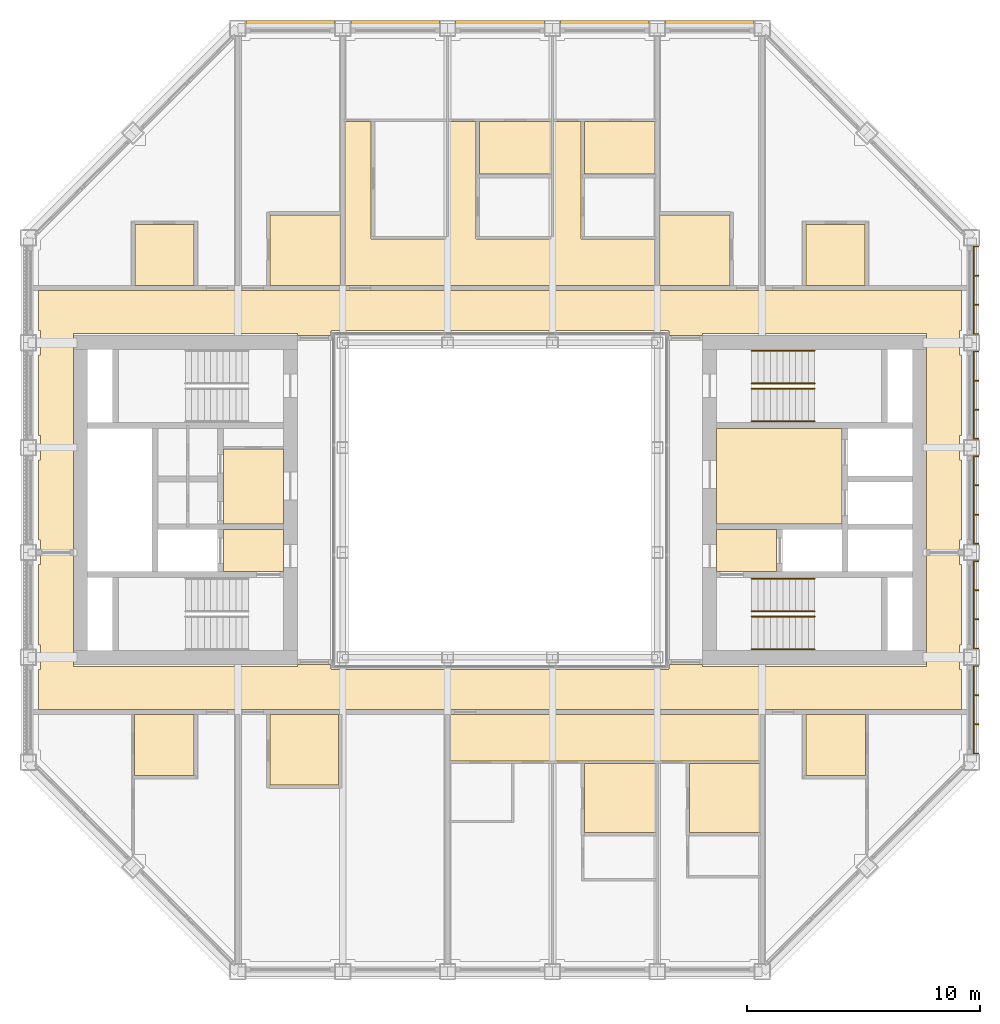
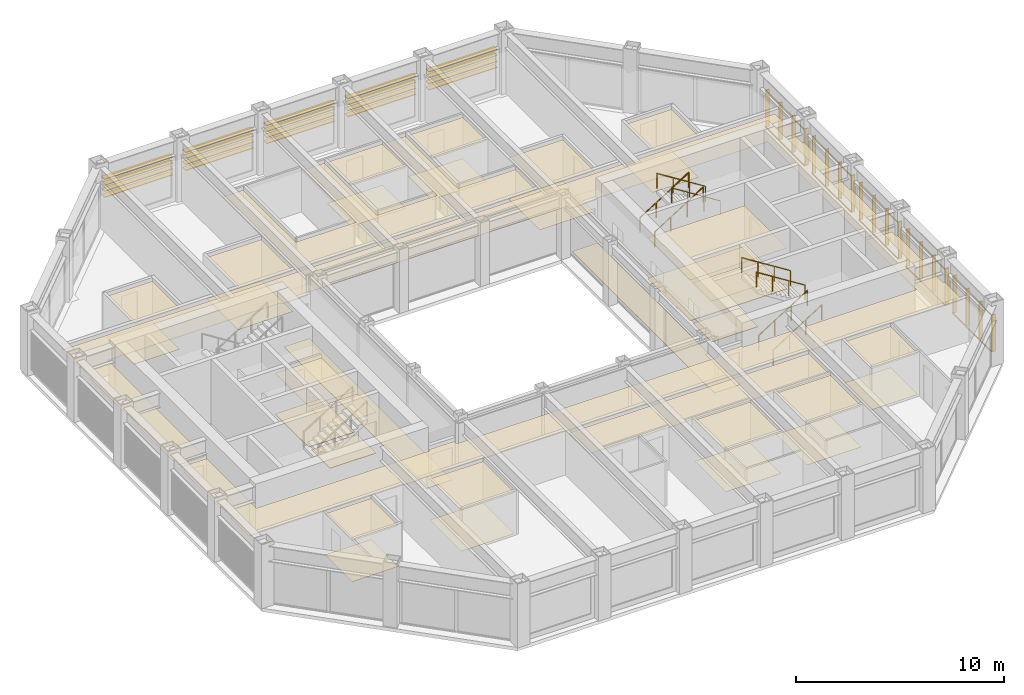
# One storey, part 17 of 17: 8 railings, 4 coverings, 2 shading devices.
"""IFC4 building model written with IfcOpenShell, lengths in metres."""

import ifcopenshell
import ifcopenshell.guid

model = None  # the IFC model being written
_history = None  # IfcOwnerHistory: only IFC2X3 demands one
_inside = {}  # id of a spatial element -> (the spatial element, [elements in it])
_under = {}  # id of a project, library or spatial element -> (it, [spatial elements below it])
_declared = {}  # id of a project -> (the project, [libraries it declares])
_typed = {}  # id of a type object -> (the type object, [elements of that type])
_made_of = {}  # id of a material, layer set ... -> (it, [elements and type objects made of it])


def new_model(schema):
    """Start an empty IFC model of exactly this schema.

    Asked for "IFC4X3", IfcOpenShell would pick the latest addendum, in which some entities
    have other attributes; the version numbers below select the first issue.
    IFC2X3 requires an IfcOwnerHistory on every rooted entity: one is made here for all.
    """
    global model, _history
    if schema == "IFC4X3":
        model = ifcopenshell.file(schema_version=(4, 3, 0, 0))
    else:
        model = ifcopenshell.file(schema=schema)
    _inside.clear()
    _under.clear()
    _declared.clear()
    _typed.clear()
    _made_of.clear()
    _history = None
    if model.schema == "IFC2X3":
        org = make("IfcOrganization", Name="unknown")
        user = make(
            "IfcPersonAndOrganization",
            ThePerson=make("IfcPerson", FamilyName="unknown"),
            TheOrganization=org,
        )
        app = make(
            "IfcApplication",
            ApplicationDeveloper=org,
            Version="unknown",
            ApplicationFullName="unknown",
            ApplicationIdentifier="unknown",
        )
        _history = make(
            "IfcOwnerHistory",
            OwningUser=user,
            OwningApplication=app,
            ChangeAction="ADDED",
            CreationDate=0,
        )
    return model


def make(cls, **values):
    """One entity of the class cls with the attributes given. An attribute that is None is left unset."""
    return model.create_entity(
        cls, **{name: value for name, value in values.items() if value is not None}
    )


def rooted(cls, **values):
    """An entity with a GlobalId (a new one), such as an element, a storey or a relation."""
    return make(cls, GlobalId=ifcopenshell.guid.new(), OwnerHistory=_history, **values)


def si_unit(unit_type, name, prefix=None):
    """IfcSIUnit, for example si_unit("LENGTHUNIT", "METRE", prefix="MILLI")."""
    return make("IfcSIUnit", UnitType=unit_type, Prefix=prefix, Name=name)


def assignment(units):
    """IfcUnitAssignment: the units of a project."""
    return None if units is None else make("IfcUnitAssignment", Units=units)


def point(xyz):
    """IfcCartesianPoint."""
    return None if xyz is None else make("IfcCartesianPoint", Coordinates=xyz)


def direction(xyz):
    """IfcDirection."""
    return None if xyz is None else make("IfcDirection", DirectionRatios=xyz)


def frame(location, z_axis=None, x_axis=None):
    """IfcAxis2Placement3D, a coordinate frame: its origin and axes. An axis left out is left unset."""
    return make(
        "IfcAxis2Placement3D",
        Location=point(location),
        Axis=direction(z_axis),
        RefDirection=direction(x_axis),
    )


def frame_2d(location, x_axis=None):
    """IfcAxis2Placement2D, a coordinate frame in the plane: its origin and x axis."""
    return make(
        "IfcAxis2Placement2D", Location=point(location), RefDirection=direction(x_axis)
    )


def origin():
    """The frame at (0, 0, 0) with its axes left unset."""
    return frame((0.0, 0.0, 0.0))


def origin_2d():
    """The frame at (0, 0) in the plane with its x axis left unset."""
    return frame_2d((0.0, 0.0))


def place(relative_to, where):
    """IfcLocalPlacement: puts the frame where relative to a parent placement (None: the world)."""
    return make(
        "IfcLocalPlacement", PlacementRelTo=relative_to, RelativePlacement=where
    )


def context(
    kind, dimensions, precision=None, world=None, true_north=None, identifier=None
):
    """IfcGeometricRepresentationContext, for example the 3D "Model" context."""
    return make(
        "IfcGeometricRepresentationContext",
        ContextIdentifier=identifier,
        ContextType=kind,
        CoordinateSpaceDimension=dimensions,
        Precision=precision,
        WorldCoordinateSystem=world,
        TrueNorth=true_north,
    )


def subcontext(parent, identifier, kind, view, scale=None):
    """IfcGeometricRepresentationSubContext, for example "Body" below "Model"."""
    return make(
        "IfcGeometricRepresentationSubContext",
        ContextIdentifier=identifier,
        ContextType=kind,
        ParentContext=parent,
        TargetScale=scale,
        TargetView=view,
    )


def project(units=None, contexts=None):
    """IfcProject with its units and contexts."""
    return rooted(
        "IfcProject",
        Name="project",
        RepresentationContexts=contexts,
        UnitsInContext=assignment(units),
    )


def spatial(cls, under=None, at=None, **own):
    """A site, building, storey or space (cls), placed at a placement, below another one or the project."""
    s = rooted(cls, ObjectPlacement=at, **own)
    if under is not None:
        _under.setdefault(under.id(), (under, []))[1].append(s)
    return s


def point_list(points):
    """IfcCartesianPointList2D or 3D."""
    cls = (
        "IfcCartesianPointList2D" if len(points[0]) == 2 else "IfcCartesianPointList3D"
    )
    return make(cls, CoordList=points)


def line(*indices):
    """IfcLineIndex: a straight run through numbered points of an indexed curve."""
    return model.create_entity("IfcLineIndex", indices)


def indexed_curve(points, segments=None, self_intersect=None):
    """IfcIndexedPolyCurve: lines and arcs through numbered points (the first is 1)."""
    return make(
        "IfcIndexedPolyCurve",
        Points=point_list(points),
        Segments=segments,
        SelfIntersect=self_intersect,
    )


def profile(cls, at=None, kind="AREA", **sizes):
    """A parametric profile (cls). Its sizes go by their IFC names, for example OverallWidth=200.0."""
    return make(cls, ProfileType=kind, Position=at, **sizes)


def rectangle(**sizes):
    """IfcRectangleProfileDef."""
    return profile("IfcRectangleProfileDef", **sizes)


def circle(**sizes):
    """IfcCircleProfileDef."""
    return profile("IfcCircleProfileDef", **sizes)


def outline(outer, holes=None, kind="AREA"):
    """IfcArbitraryClosedProfileDef: a profile drawn as a closed curve; with holes, ...WithVoids."""
    if holes is None:
        return make("IfcArbitraryClosedProfileDef", ProfileType=kind, OuterCurve=outer)
    return make(
        "IfcArbitraryProfileDefWithVoids",
        ProfileType=kind,
        OuterCurve=outer,
        InnerCurves=holes,
    )


def extrude(swept, where, along, depth):
    """IfcExtrudedAreaSolid: the profile swept, set in the frame where, extruded along a direction by depth."""
    return make(
        "IfcExtrudedAreaSolid",
        SweptArea=swept,
        Position=where,
        ExtrudedDirection=direction(along),
        Depth=depth,
    )


def shape(context_of_items, identifier, shape_type, items):
    """IfcShapeRepresentation: the items that make up one representation, for example the "Body"."""
    return make(
        "IfcShapeRepresentation",
        ContextOfItems=context_of_items,
        RepresentationIdentifier=identifier,
        RepresentationType=shape_type,
        Items=items,
    )


def material(Name=None, Category=None):
    """IfcMaterial."""
    return make("IfcMaterial", Name=Name, Category=Category)


def layer(
    of_material, thickness, ventilated=None, Name=None, Category=None, Priority=None
):
    """IfcMaterialLayer: one layer of a wall or slab, of a material (None: an air gap)."""
    return make(
        "IfcMaterialLayer",
        Material=of_material,
        LayerThickness=thickness,
        IsVentilated=ventilated,
        Name=Name,
        Category=Category,
        Priority=Priority,
    )


def layer_set(layers, Name=None):
    """IfcMaterialLayerSet."""
    return make("IfcMaterialLayerSet", MaterialLayers=layers, LayerSetName=Name)


def made_of(thing, what):
    """Note that an element or type object is made of a material, layer set ...; save() writes the relation."""
    if what is not None:
        _made_of.setdefault(what.id(), (what, []))[1].append(thing)
    return thing


def type_object(cls, material=None, **own):
    """A type object (cls), such as IfcWallType, which elements share."""
    return made_of(rooted(cls, **own), material)


def element(
    cls,
    number,
    at=None,
    inside=None,
    cuts=None,
    type_object=None,
    material=None,
    context=None,
    identifier="Body",
    shape_type=None,
    held_by="IfcProductDefinitionShape",
    body=None,
    shapes=None,
    **own,
):
    """One element of the class cls, such as IfcWall. Its Tag is "e" and its number.

    at: its placement. inside: the storey or other place that contains it. cuts: it is an
    opening in that element (IfcRelVoidsElement). A single representation is given by context,
    identifier, shape_type and body (its items); several are given by shapes. held_by: the class
    of the entity that holds the representations. save() writes the other relations.
    """
    e = rooted(cls, Tag="e%d" % number, ObjectPlacement=at, **own)
    if body is not None:
        shapes = [shape(context, identifier, shape_type, body)]
    if shapes is not None:
        e.Representation = make(held_by, Representations=shapes)
    if inside is not None:
        _inside.setdefault(inside.id(), (inside, []))[1].append(e)
    if cuts is not None:
        rooted(
            "IfcRelVoidsElement", RelatingBuildingElement=cuts, RelatedOpeningElement=e
        )
    if type_object is not None:
        _typed.setdefault(type_object.id(), (type_object, []))[1].append(e)
    return made_of(e, material)


def aggregate(whole, parts):
    """IfcRelAggregates: a whole, such as a stair, and the parts it consists of."""
    return rooted("IfcRelAggregates", RelatingObject=whole, RelatedObjects=parts)


def save(model, path):
    """Write the relations noted so far, then the file.

    IfcRelAggregates (storeys below a building ...), IfcRelContainedInSpatialStructure (elements
    in a storey), IfcRelDefinesByType, IfcRelAssociatesMaterial and IfcRelDeclares: one each for
    every whole, place, type object, material and project.
    """
    for whole, parts in _under.values():
        aggregate(whole, parts)
    for where, things in _inside.values():
        rooted(
            "IfcRelContainedInSpatialStructure",
            RelatedElements=things,
            RelatingStructure=where,
        )
    for kind, things in _typed.values():
        rooted("IfcRelDefinesByType", RelatedObjects=things, RelatingType=kind)
    for what, things in _made_of.values():
        rooted("IfcRelAssociatesMaterial", RelatedObjects=things, RelatingMaterial=what)
    for by, libraries in _declared.values():
        rooted("IfcRelDeclares", RelatingContext=by, RelatedDefinitions=libraries)
    model.write(path)


model = new_model("IFC4")

# Units and contexts
model_context = context("Model", 3, precision=1e-05, world=origin(), true_north=direction((0.0, 1.0)))
body_context = subcontext(model_context, "Body", "Model", "MODEL_VIEW")
ifc_project = project(units=[si_unit("LENGTHUNIT", "METRE"), si_unit("AREAUNIT", "SQUARE_METRE"), si_unit("VOLUMEUNIT", "CUBIC_METRE"), si_unit("PLANEANGLEUNIT", "RADIAN"), si_unit("MASSUNIT", "GRAM", prefix="KILO")], contexts=[model_context])

# Site, building, storey
site_placement = place(None, origin())
site = spatial("IfcSite", under=ifc_project, at=site_placement, CompositionType="ELEMENT")
building_placement = place(site_placement, origin())
building = spatial("IfcBuilding", under=site, at=building_placement, Name="Msasa Ring Tower", CompositionType="ELEMENT")
storey_placement = place(building_placement, frame((0.0, 0.0, 234.550048828125)))
storey = spatial("IfcBuildingStorey", under=building, at=storey_placement, Name="L61", CompositionType="ELEMENT", Elevation=234.550048828125)

# Shading device
ifc_material_1 = material(Name="Extruded terracotta on aluminium carriers", Category="masonry")
shading_device_type_1 = type_object("IfcShadingDeviceType", Name="BS2 TERRACOTTA FIN SCREEN 40x200 AT 1350", PredefinedType="USERDEFINED", material=ifc_material_1)
shading_device_1_placement = place(storey_placement, origin())
element("IfcShadingDevice", 1, at=shading_device_1_placement, inside=storey, type_object=shading_device_type_1, Name="Terracotta fin screen E L61", ObjectType="BAGUETTE", PredefinedType="USERDEFINED", context=body_context, shape_type="SweptSolid", body=[
    extrude(rectangle(XDim=0.06005859375, YDim=0.0400390625, at=origin_2d()), frame((20.330078125, -10.89990234375, 0.329833984375), z_axis=(0.0, 1.0, 0.0), x_axis=(0.0, 0.0, 1.0)), (0.0, 0.0, 1.0), 3.800048828125),
    extrude(rectangle(XDim=0.06005859375, YDim=0.0400390625, at=origin_2d()), frame((20.330078125, -10.89990234375, 2.448974609375), z_axis=(0.0, 1.0, 0.0), x_axis=(0.0, 0.0, 1.0)), (0.0, 0.0, 1.0), 3.800048828125),
    extrude(rectangle(XDim=0.0400390625, YDim=0.199951171875, at=origin_2d()), frame((20.445068359375, -10.8798828125, 0.300048828125), z_axis=(0.0, 0.0, 1.0), x_axis=(0.0, 1.0, 0.0)), (0.0, 0.0, 1.0), 2.178955078125),
    extrude(rectangle(XDim=0.0400390625, YDim=0.199951171875, at=origin_2d()), frame((20.445068359375, -9.626708984375, 0.300048828125), z_axis=(0.0, 0.0, 1.0), x_axis=(0.0, 1.0, 0.0)), (0.0, 0.0, 1.0), 2.178955078125),
    extrude(rectangle(XDim=0.0400390625, YDim=0.199951171875, at=origin_2d()), frame((20.445068359375, -8.373291015625, 0.300048828125), z_axis=(0.0, 0.0, 1.0), x_axis=(0.0, 1.0, 0.0)), (0.0, 0.0, 1.0), 2.178955078125),
    extrude(rectangle(XDim=0.0400390625, YDim=0.199951171875, at=origin_2d()), frame((20.445068359375, -7.1201171875, 0.300048828125), z_axis=(0.0, 0.0, 1.0), x_axis=(0.0, 1.0, 0.0)), (0.0, 0.0, 1.0), 2.178955078125),
    extrude(rectangle(XDim=0.06005859375, YDim=0.0400390625, at=origin_2d()), frame((20.330078125, -6.39990234375, 0.329833984375), z_axis=(0.0, 1.0, 0.0), x_axis=(0.0, 0.0, 1.0)), (0.0, 0.0, 1.0), 3.800048828125),
    extrude(rectangle(XDim=0.06005859375, YDim=0.0400390625, at=origin_2d()), frame((20.330078125, -6.39990234375, 2.448974609375), z_axis=(0.0, 1.0, 0.0), x_axis=(0.0, 0.0, 1.0)), (0.0, 0.0, 1.0), 3.800048828125),
    extrude(rectangle(XDim=0.0400390625, YDim=0.199951171875, at=origin_2d()), frame((20.445068359375, -6.3798828125, 0.300048828125), z_axis=(0.0, 0.0, 1.0), x_axis=(0.0, 1.0, 0.0)), (0.0, 0.0, 1.0), 2.178955078125),
    extrude(rectangle(XDim=0.0400390625, YDim=0.199951171875, at=origin_2d()), frame((20.445068359375, -5.126708984375, 0.300048828125), z_axis=(0.0, 0.0, 1.0), x_axis=(0.0, 1.0, 0.0)), (0.0, 0.0, 1.0), 2.178955078125),
    extrude(rectangle(XDim=0.0400390625, YDim=0.199951171875, at=origin_2d()), frame((20.445068359375, -3.873291015625, 0.300048828125), z_axis=(0.0, 0.0, 1.0), x_axis=(0.0, 1.0, 0.0)), (0.0, 0.0, 1.0), 2.178955078125),
    extrude(rectangle(XDim=0.0400390625, YDim=0.199951171875, at=origin_2d()), frame((20.445068359375, -2.6201171875, 0.300048828125), z_axis=(0.0, 0.0, 1.0), x_axis=(0.0, 1.0, 0.0)), (0.0, 0.0, 1.0), 2.178955078125),
    extrude(rectangle(XDim=0.06005859375, YDim=0.0400390625, at=origin_2d()), frame((20.330078125, -1.89990234375, 0.329833984375), z_axis=(0.0, 1.0, 0.0), x_axis=(0.0, 0.0, 1.0)), (0.0, 0.0, 1.0), 3.800048828125),
    extrude(rectangle(XDim=0.06005859375, YDim=0.0400390625, at=origin_2d()), frame((20.330078125, -1.89990234375, 2.448974609375), z_axis=(0.0, 1.0, 0.0), x_axis=(0.0, 0.0, 1.0)), (0.0, 0.0, 1.0), 3.800048828125),
    extrude(rectangle(XDim=0.0400390625, YDim=0.199951171875, at=origin_2d()), frame((20.445068359375, -1.8798828125, 0.300048828125), z_axis=(0.0, 0.0, 1.0), x_axis=(0.0, 1.0, 0.0)), (0.0, 0.0, 1.0), 2.178955078125),
    extrude(rectangle(XDim=0.0400390625, YDim=0.199951171875, at=origin_2d()), frame((20.445068359375, -0.626708984375, 0.300048828125), z_axis=(0.0, 0.0, 1.0), x_axis=(0.0, 1.0, 0.0)), (0.0, 0.0, 1.0), 2.178955078125),
    extrude(rectangle(XDim=0.0400390625, YDim=0.199951171875, at=origin_2d()), frame((20.445068359375, 0.626708984375, 0.300048828125), z_axis=(0.0, 0.0, 1.0), x_axis=(0.0, 1.0, 0.0)), (0.0, 0.0, 1.0), 2.178955078125),
    extrude(rectangle(XDim=0.0400390625, YDim=0.199951171875, at=origin_2d()), frame((20.445068359375, 1.8798828125, 0.300048828125), z_axis=(0.0, 0.0, 1.0), x_axis=(0.0, 1.0, 0.0)), (0.0, 0.0, 1.0), 2.178955078125),
    extrude(rectangle(XDim=0.06005859375, YDim=0.0400390625, at=origin_2d()), frame((20.330078125, 2.60009765625, 0.329833984375), z_axis=(0.0, 1.0, 0.0), x_axis=(0.0, 0.0, 1.0)), (0.0, 0.0, 1.0), 3.800048828125),
    extrude(rectangle(XDim=0.06005859375, YDim=0.0400390625, at=origin_2d()), frame((20.330078125, 2.60009765625, 2.448974609375), z_axis=(0.0, 1.0, 0.0), x_axis=(0.0, 0.0, 1.0)), (0.0, 0.0, 1.0), 3.800048828125),
    extrude(rectangle(XDim=0.0400390625, YDim=0.199951171875, at=origin_2d()), frame((20.445068359375, 2.6201171875, 0.300048828125), z_axis=(0.0, 0.0, 1.0), x_axis=(0.0, 1.0, 0.0)), (0.0, 0.0, 1.0), 2.178955078125),
    extrude(rectangle(XDim=0.0400390625, YDim=0.199951171875, at=origin_2d()), frame((20.445068359375, 3.873291015625, 0.300048828125), z_axis=(0.0, 0.0, 1.0), x_axis=(0.0, 1.0, 0.0)), (0.0, 0.0, 1.0), 2.178955078125),
    extrude(rectangle(XDim=0.0400390625, YDim=0.199951171875, at=origin_2d()), frame((20.445068359375, 5.126708984375, 0.300048828125), z_axis=(0.0, 0.0, 1.0), x_axis=(0.0, 1.0, 0.0)), (0.0, 0.0, 1.0), 2.178955078125),
    extrude(rectangle(XDim=0.0400390625, YDim=0.199951171875, at=origin_2d()), frame((20.445068359375, 6.3798828125, 0.300048828125), z_axis=(0.0, 0.0, 1.0), x_axis=(0.0, 1.0, 0.0)), (0.0, 0.0, 1.0), 2.178955078125),
    extrude(rectangle(XDim=0.06005859375, YDim=0.0400390625, at=origin_2d()), frame((20.330078125, 7.10009765625, 0.329833984375), z_axis=(0.0, 1.0, 0.0), x_axis=(0.0, 0.0, 1.0)), (0.0, 0.0, 1.0), 3.800048828125),
    extrude(rectangle(XDim=0.06005859375, YDim=0.0400390625, at=origin_2d()), frame((20.330078125, 7.10009765625, 2.448974609375), z_axis=(0.0, 1.0, 0.0), x_axis=(0.0, 0.0, 1.0)), (0.0, 0.0, 1.0), 3.800048828125),
    extrude(rectangle(XDim=0.0400390625, YDim=0.199951171875, at=origin_2d()), frame((20.445068359375, 7.1201171875, 0.300048828125), z_axis=(0.0, 0.0, 1.0), x_axis=(0.0, 1.0, 0.0)), (0.0, 0.0, 1.0), 2.178955078125),
    extrude(rectangle(XDim=0.0400390625, YDim=0.199951171875, at=origin_2d()), frame((20.445068359375, 8.373291015625, 0.300048828125), z_axis=(0.0, 0.0, 1.0), x_axis=(0.0, 1.0, 0.0)), (0.0, 0.0, 1.0), 2.178955078125),
    extrude(rectangle(XDim=0.0400390625, YDim=0.199951171875, at=origin_2d()), frame((20.445068359375, 9.626708984375, 0.300048828125), z_axis=(0.0, 0.0, 1.0), x_axis=(0.0, 1.0, 0.0)), (0.0, 0.0, 1.0), 2.178955078125),
    extrude(rectangle(XDim=0.0400390625, YDim=0.199951171875, at=origin_2d()), frame((20.445068359375, 10.8798828125, 0.300048828125), z_axis=(0.0, 0.0, 1.0), x_axis=(0.0, 1.0, 0.0)), (0.0, 0.0, 1.0), 2.178955078125),
])

# Coverings
ifc_material_2 = material(Name="Gypsum plasterboard on a steel suspension grid", Category="steel")
ifc_layer_1 = layer(ifc_material_2, 0.014892578125)
ifc_layer_set_1 = layer_set([ifc_layer_1], Name="C1 SUSPENDED PLASTERBOARD CEILING 15")
covering_type_1 = type_object("IfcCoveringType", Name="C1 SUSPENDED PLASTERBOARD CEILING 15", PredefinedType="CEILING", material=ifc_layer_set_1)
covering_1_placement = place(storey_placement, frame((0.0, 0.0, 2.39990234375)))
element("IfcCovering", 2, at=covering_1_placement, inside=storey, type_object=covering_type_1, Name="Suspended Plasterboard Ceiling 15 circulation L61", PredefinedType="CEILING", context=body_context, shape_type="SweptSolid", body=[
    extrude(outline(indexed_curve([(8.699462890625, -7.150390625), (18.300537109375, -7.150390625), (18.300537109375, -2.3505859375), (19.724609375, -2.3505859375), (19.724609375, -2.775390625), (19.799560546875, -2.775390625), (19.799560546875, -6.224609375), (19.724609375, -6.224609375), (19.724609375, -7.275390625), (19.799560546875, -7.275390625), (19.799560546875, -8.99951171875), (-19.799560546875, -8.99951171875), (-19.799560546875, -7.275390625), (-19.724609375, -7.275390625), (-19.724609375, -6.224609375), (-19.799560546875, -6.224609375), (-19.799560546875, -2.775390625), (-19.724609375, -2.775390625), (-19.724609375, -2.3505859375), (-18.300537109375, -2.3505859375), (-18.300537109375, -7.150390625), (-8.699462890625, -7.150390625), (-8.699462890625, -7.050537109375), (-7.280029296875, -7.050537109375), (-7.280517578125, -7.23046875), (-7.22998046875, -7.23046875), (-7.22998046875, -7.280029296875), (7.22998046875, -7.280029296875), (7.22998046875, -7.23046875), (7.280517578125, -7.23046875), (7.280029296875, -7.050537109375), (8.699462890625, -7.050537109375)], segments=[line(1, 2, 3, 4, 5, 6, 7, 8, 9, 10, 11, 12, 13, 14, 15, 16, 17, 18, 19, 20, 21, 22, 23, 24, 25, 26, 27, 28, 29, 30, 31, 32, 1)], self_intersect=False)), origin(), (0.0, 0.0, 1.0), 0.01513671875),
    extrude(outline(indexed_curve([(19.799560546875, 7.275390625), (19.724609375, 7.275390625), (19.724609375, 6.224609375), (19.799560546875, 6.224609375), (19.799560546875, 2.775390625), (19.724609375, 2.775390625), (19.724609375, 1.724609375), (19.799560546875, 1.724609375), (19.799560546875, -1.724609375), (19.724609375, -1.724609375), (19.724609375, -2.1494140625), (18.300537109375, -2.1494140625), (18.300537109375, 7.150390625), (8.699462890625, 7.150390625), (8.699462890625, 7.050537109375), (7.280029296875, 7.050537109375), (7.280517578125, 7.23046875), (7.22998046875, 7.23046875), (7.22998046875, 7.280029296875), (-7.22998046875, 7.280029296875), (-7.22998046875, 7.23046875), (-7.280517578125, 7.23046875), (-7.280029296875, 7.050537109375), (-8.699462890625, 7.050537109375), (-8.699462890625, 7.150390625), (-18.300537109375, 7.150390625), (-18.300537109375, -2.1494140625), (-19.724609375, -2.1494140625), (-19.724609375, -1.724609375), (-19.799560546875, -1.724609375), (-19.799560546875, 1.724609375), (-19.724609375, 1.724609375), (-19.724609375, 2.775390625), (-19.799560546875, 2.775390625), (-19.799560546875, 6.224609375), (-19.724609375, 6.224609375), (-19.724609375, 7.275390625), (-19.799560546875, 7.275390625), (-19.799560546875, 8.99951171875), (19.799560546875, 8.99951171875)], segments=[line(1, 2, 3, 4, 5, 6, 7, 8, 9, 10, 11, 12, 13, 14, 15, 16, 17, 18, 19, 20, 21, 22, 23, 24, 25, 26, 27, 28, 29, 30, 31, 32, 33, 34, 35, 36, 37, 38, 39, 40, 1)], self_intersect=False)), origin(), (0.0, 0.0, 1.0), 0.01513671875),
    extrude(outline(indexed_curve([(-11.87451171875, -3.074462890625), (-11.87451171875, -1.275390625), (-9.300537109375, -1.275390625), (-9.300537109375, -3.074462890625)], segments=[line(1, 2, 3, 4, 1)], self_intersect=False)), origin(), (0.0, 0.0, 1.0), 0.01513671875),
    extrude(outline(indexed_curve([(-11.87451171875, -1.0244140625), (-11.87451171875, 2.194580078125), (-9.300537109375, 2.194580078125), (-9.300537109375, -1.0244140625)], segments=[line(1, 2, 3, 4, 1)], self_intersect=False)), origin(), (0.0, 0.0, 1.0), 0.01513671875),
    extrude(outline(indexed_curve([(-5.530517578125, 11.199462890625), (-2.189453125, 11.199462890625), (-2.189453125, 16.244384765625), (-1.030517578125, 16.244384765625), (-1.030517578125, 11.199462890625), (2.310546875, 11.199462890625), (2.310546875, 16.244384765625), (3.469482421875, 16.244384765625), (3.469482421875, 11.199462890625), (6.6494140625, 11.199462890625), (6.6494140625, 9.200439453125), (-6.6494140625, 9.200439453125), (-6.6494140625, 16.244384765625), (-5.530517578125, 16.244384765625)], segments=[line(1, 2, 3, 4, 5, 6, 7, 8, 9, 10, 11, 12, 13, 14, 1)], self_intersect=False)), origin(), (0.0, 0.0, 1.0), 0.01513671875),
    extrude(outline(indexed_curve([(-2.1494140625, -11.199462890625), (-2.1494140625, -9.200439453125), (11.1494140625, -9.200439453125), (11.1494140625, -11.199462890625)], segments=[line(1, 2, 3, 4, 1)], self_intersect=False)), origin(), (0.0, 0.0, 1.0), 0.01513671875),
    extrude(outline(indexed_curve([(9.300537109375, -3.074462890625), (9.300537109375, -1.275390625), (11.87451171875, -1.275390625), (11.87451171875, -3.074462890625)], segments=[line(1, 2, 3, 4, 1)], self_intersect=False)), origin(), (0.0, 0.0, 1.0), 0.01513671875),
    extrude(outline(indexed_curve([(9.300537109375, -1.0244140625), (9.300537109375, 3.074462890625), (14.674560546875, 3.074462890625), (14.674560546875, -1.0244140625)], segments=[line(1, 2, 3, 4, 1)], self_intersect=False)), origin(), (0.0, 0.0, 1.0), 0.01513671875),
])
ifc_material_3 = material(Name="Moisture-resistant gypsum plasterboard on a steel suspension grid", Category="steel")
ifc_layer_2 = layer(ifc_material_3, 0.014892578125)
ifc_layer_set_2 = layer_set([ifc_layer_2], Name="C2 MOISTURE-RESISTANT PLASTERBOARD CEILING 15")
covering_type_2 = type_object("IfcCoveringType", Name="C2 MOISTURE-RESISTANT PLASTERBOARD CEILING 15", PredefinedType="CEILING", material=ifc_layer_set_2)
covering_2_placement = place(storey_placement, frame((0.0, 0.0, 2.39990234375)))
element("IfcCovering", 3, at=covering_2_placement, inside=storey, type_object=covering_type_2, Name="Moisture-Resistant Plasterboard Ceiling 15 L61", PredefinedType="CEILING", context=body_context, shape_type="SweptSolid", body=[
    extrude(outline(indexed_curve([(-15.689453125, -11.819580078125), (-15.689453125, -9.200439453125), (-13.130615234375, -9.200439453125), (-13.130615234375, -11.819580078125)], segments=[line(1, 2, 3, 4, 1)], self_intersect=False)), origin(), (0.0, 0.0, 1.0), 0.01513671875),
    extrude(outline(indexed_curve([(-15.66943359375, 11.819580078125), (-13.130615234375, 11.819580078125), (-13.130615234375, 9.200439453125), (-15.66943359375, 9.200439453125)], segments=[line(1, 2, 3, 4, 1)], self_intersect=False)), origin(), (0.0, 0.0, 1.0), 0.01513671875),
    extrude(outline(indexed_curve([(-6.925537109375, -9.200439453125), (-6.925537109375, -12.224609375), (-9.87451171875, -12.224609375), (-9.87451171875, -9.200439453125)], segments=[line(1, 2, 3, 4, 1)], self_intersect=False)), origin(), (0.0, 0.0, 1.0), 0.01513671875),
    extrude(outline(indexed_curve([(-9.87451171875, 9.200439453125), (-9.87451171875, 12.224609375), (-6.8505859375, 12.224609375), (-6.8505859375, 9.200439453125)], segments=[line(1, 2, 3, 4, 1)], self_intersect=False)), origin(), (0.0, 0.0, 1.0), 0.01513671875),
    extrude(outline(indexed_curve([(-0.869384765625, 13.98046875), (-0.869384765625, 16.244384765625), (2.189453125, 16.244384765625), (2.189453125, 13.98046875)], segments=[line(1, 2, 3, 4, 1)], self_intersect=False)), origin(), (0.0, 0.0, 1.0), 0.01513671875),
    extrude(outline(indexed_curve([(6.689453125, -11.300537109375), (6.689453125, -14.2744140625), (3.62548828125, -14.2744140625), (3.62548828125, -11.300537109375)], segments=[line(1, 2, 3, 4, 1)], self_intersect=False)), origin(), (0.0, 0.0, 1.0), 0.01513671875),
    extrude(outline(indexed_curve([(3.630615234375, 16.244384765625), (6.6494140625, 16.244384765625), (6.6494140625, 13.98046875), (3.630615234375, 13.98046875)], segments=[line(1, 2, 3, 4, 1)], self_intersect=False)), origin(), (0.0, 0.0, 1.0), 0.01513671875),
    extrude(outline(indexed_curve([(6.8505859375, 9.200439453125), (6.8505859375, 12.224609375), (9.87451171875, 12.224609375), (9.87451171875, 9.200439453125)], segments=[line(1, 2, 3, 4, 1)], self_intersect=False)), origin(), (0.0, 0.0, 1.0), 0.01513671875),
    extrude(outline(indexed_curve([(11.1494140625, -11.300537109375), (11.1494140625, -14.2744140625), (8.12548828125, -14.2744140625), (8.12548828125, -11.300537109375)], segments=[line(1, 2, 3, 4, 1)], self_intersect=False)), origin(), (0.0, 0.0, 1.0), 0.01513671875),
    extrude(outline(indexed_curve([(13.130615234375, -9.200439453125), (15.689453125, -9.200439453125), (15.689453125, -11.819580078125), (13.130615234375, -11.819580078125)], segments=[line(1, 2, 3, 4, 1)], self_intersect=False)), origin(), (0.0, 0.0, 1.0), 0.01513671875),
    extrude(outline(indexed_curve([(13.130615234375, 9.200439453125), (13.130615234375, 11.819580078125), (15.66943359375, 11.819580078125), (15.66943359375, 9.200439453125)], segments=[line(1, 2, 3, 4, 1)], self_intersect=False)), origin(), (0.0, 0.0, 1.0), 0.01513671875),
])
ifc_material_4 = material(Name="Honed granite tiles on a mortar bed", Category="masonry")
ifc_layer_3 = layer(ifc_material_4, 0.030029296875)
ifc_layer_set_3 = layer_set([ifc_layer_3], Name="F1 HONED GRANITE ON BEDDING 30")
covering_type_3 = type_object("IfcCoveringType", Name="F1 HONED GRANITE ON BEDDING 30", PredefinedType="FLOORING", material=ifc_layer_set_3)
covering_3_placement = place(storey_placement, origin())
element("IfcCovering", 4, at=covering_3_placement, inside=storey, type_object=covering_type_3, Name="Honed Granite On Bedding 30 L61", PredefinedType="FLOORING", context=body_context, shape_type="SweptSolid", body=[
    extrude(outline(indexed_curve([(-11.87451171875, -3.074462890625), (-11.87451171875, -1.275390625), (-9.300537109375, -1.275390625), (-9.300537109375, -3.074462890625)], segments=[line(1, 2, 3, 4, 1)], self_intersect=False)), origin(), (0.0, 0.0, 1.0), 0.030029296875),
    extrude(outline(indexed_curve([(-11.87451171875, 2.194580078125), (-9.300537109375, 2.194580078125), (-9.300537109375, -1.0244140625), (-11.87451171875, -1.0244140625)], segments=[line(1, 2, 3, 4, 1)], self_intersect=False)), origin(), (0.0, 0.0, 1.0), 0.030029296875),
    extrude(outline(indexed_curve([(-8.699462890625, 6.849609375), (-7.280029296875, 6.849609375), (-7.280029296875, -6.849609375), (-8.699462890625, -6.849609375)], segments=[line(1, 2, 3, 4, 1)], self_intersect=False)), origin(), (0.0, 0.0, 1.0), 0.030029296875),
    extrude(outline(indexed_curve([(7.280029296875, -6.849609375), (7.280029296875, 6.849609375), (8.699462890625, 6.849609375), (8.699462890625, -6.849609375)], segments=[line(1, 2, 3, 4, 1)], self_intersect=False)), origin(), (0.0, 0.0, 1.0), 0.030029296875),
    extrude(outline(indexed_curve([(9.300537109375, -1.275390625), (11.87451171875, -1.275390625), (11.87451171875, -3.074462890625), (9.300537109375, -3.074462890625)], segments=[line(1, 2, 3, 4, 1)], self_intersect=False)), origin(), (0.0, 0.0, 1.0), 0.030029296875),
    extrude(outline(indexed_curve([(9.300537109375, 3.074462890625), (14.674560546875, 3.074462890625), (14.674560546875, -1.0244140625), (9.300537109375, -1.0244140625)], segments=[line(1, 2, 3, 4, 1)], self_intersect=False)), origin(), (0.0, 0.0, 1.0), 0.030029296875),
])
ifc_material_5 = material(Name="Porcelain floor tiles in adhesive", Category="ceramic")
ifc_layer_4 = layer(ifc_material_5, 0.010009765625)
ifc_layer_set_4 = layer_set([ifc_layer_4], Name="F4 PORCELAIN TILE ON ADHESIVE 10")
covering_type_4 = type_object("IfcCoveringType", Name="F4 PORCELAIN TILE ON ADHESIVE 10", PredefinedType="FLOORING", material=ifc_layer_set_4)
covering_4_placement = place(storey_placement, origin())
element("IfcCovering", 5, at=covering_4_placement, inside=storey, type_object=covering_type_4, Name="Porcelain Tile On Adhesive 10 L61", PredefinedType="FLOORING", context=body_context, shape_type="SweptSolid", body=[
    extrude(outline(indexed_curve([(-15.689453125, -9.200439453125), (-13.130615234375, -9.200439453125), (-13.130615234375, -11.819580078125), (-15.689453125, -11.819580078125)], segments=[line(1, 2, 3, 4, 1)], self_intersect=False)), origin(), (0.0, 0.0, 1.0), 0.010009765625),
    extrude(outline(indexed_curve([(-13.130615234375, 11.819580078125), (-13.130615234375, 9.200439453125), (-15.66943359375, 9.200439453125), (-15.66943359375, 11.819580078125)], segments=[line(1, 2, 3, 4, 1)], self_intersect=False)), origin(), (0.0, 0.0, 1.0), 0.010009765625),
    extrude(outline(indexed_curve([(-6.925537109375, -9.200439453125), (-6.925537109375, -12.224609375), (-9.87451171875, -12.224609375), (-9.87451171875, -9.200439453125)], segments=[line(1, 2, 3, 4, 1)], self_intersect=False)), origin(), (0.0, 0.0, 1.0), 0.010009765625),
    extrude(outline(indexed_curve([(-9.87451171875, 9.200439453125), (-9.87451171875, 12.224609375), (-6.8505859375, 12.224609375), (-6.8505859375, 9.200439453125)], segments=[line(1, 2, 3, 4, 1)], self_intersect=False)), origin(), (0.0, 0.0, 1.0), 0.010009765625),
    extrude(outline(indexed_curve([(-0.869384765625, 16.244384765625), (2.189453125, 16.244384765625), (2.189453125, 13.98046875), (-0.869384765625, 13.98046875)], segments=[line(1, 2, 3, 4, 1)], self_intersect=False)), origin(), (0.0, 0.0, 1.0), 0.010009765625),
    extrude(outline(indexed_curve([(6.689453125, -11.300537109375), (6.689453125, -14.2744140625), (3.62548828125, -14.2744140625), (3.62548828125, -11.300537109375)], segments=[line(1, 2, 3, 4, 1)], self_intersect=False)), origin(), (0.0, 0.0, 1.0), 0.010009765625),
    extrude(outline(indexed_curve([(6.6494140625, 16.244384765625), (6.6494140625, 13.98046875), (3.630615234375, 13.98046875), (3.630615234375, 16.244384765625)], segments=[line(1, 2, 3, 4, 1)], self_intersect=False)), origin(), (0.0, 0.0, 1.0), 0.010009765625),
    extrude(outline(indexed_curve([(6.8505859375, 9.200439453125), (6.8505859375, 12.224609375), (9.87451171875, 12.224609375), (9.87451171875, 9.200439453125)], segments=[line(1, 2, 3, 4, 1)], self_intersect=False)), origin(), (0.0, 0.0, 1.0), 0.010009765625),
    extrude(outline(indexed_curve([(11.1494140625, -11.300537109375), (11.1494140625, -14.2744140625), (8.12548828125, -14.2744140625), (8.12548828125, -11.300537109375)], segments=[line(1, 2, 3, 4, 1)], self_intersect=False)), origin(), (0.0, 0.0, 1.0), 0.010009765625),
    extrude(outline(indexed_curve([(15.689453125, -9.200439453125), (15.689453125, -11.819580078125), (13.130615234375, -11.819580078125), (13.130615234375, -9.200439453125)], segments=[line(1, 2, 3, 4, 1)], self_intersect=False)), origin(), (0.0, 0.0, 1.0), 0.010009765625),
    extrude(outline(indexed_curve([(13.130615234375, 11.819580078125), (15.66943359375, 11.819580078125), (15.66943359375, 9.200439453125), (13.130615234375, 9.200439453125)], segments=[line(1, 2, 3, 4, 1)], self_intersect=False)), origin(), (0.0, 0.0, 1.0), 0.010009765625),
])

# Railings
ifc_material_6 = material(Name="Stainless steel", Category="steel")
railing_type = type_object("IfcRailingType", Name="HR1 HANDRAIL 900", PredefinedType="HANDRAIL", material=ifc_material_6)
for number, where, name in (
    (6, (10.800048828125, -6.39990234375, 0.17041015625), "Handrail stair SEA L61 1"),
    (7, (10.800048828125, -5.0, 0.17041015625), "Handrail stair SEA L61 2"),
):
    element("IfcRailing", number, at=place(storey_placement, frame(where)), inside=storey, type_object=railing_type, Name=name, PredefinedType="HANDRAIL", context=body_context, shape_type="SweptSolid", body=[
        extrude(circle(Radius=0.02392578125, at=origin_2d()), frame((0.0, 0.0, 0.8759765625), z_axis=(0.845579735284, 0.0, 0.533849146555), x_axis=(0.0, 1.0, 0.0)), (0.0, 0.0, 1.0), 3.193115234375),
        extrude(circle(Radius=0.02099609375, at=origin_2d()), origin(), (0.0, 0.0, 1.0), 0.851806640625),
        extrude(circle(Radius=0.02099609375, at=origin_2d()), frame((0.89990234375, 0.0, 0.568115234375)), (0.0, 0.0, 1.0), 0.851806640625),
        extrude(circle(Radius=0.02099609375, at=origin_2d()), frame((1.800048828125, 0.0, 1.136474609375)), (0.0, 0.0, 1.0), 0.851806640625),
        extrude(circle(Radius=0.02099609375, at=origin_2d()), frame((2.699951171875, 0.0, 1.70458984375)), (0.0, 0.0, 1.0), 0.851806640625),
    ])
for number, where, name in (
    (8, (13.5, -4.77490234375, 2.04541015625), "Handrail stair SEA L61 3"),
    (9, (13.5, -3.375, 2.04541015625), "Handrail stair SEA L61 4"),
):
    element("IfcRailing", number, at=place(storey_placement, frame(where)), inside=storey, type_object=railing_type, Name=name, PredefinedType="HANDRAIL", context=body_context, shape_type="SweptSolid", body=[
        extrude(circle(Radius=0.02392578125, at=origin_2d()), frame((0.0, 0.0, 0.8759765625), z_axis=(-0.845579735284, 0.0, 0.533849146555), x_axis=(0.0, -1.0, 0.0)), (0.0, 0.0, 1.0), 3.193115234375),
        extrude(circle(Radius=0.02099609375, at=origin_2d()), origin(), (0.0, 0.0, 1.0), 0.851806640625),
        extrude(circle(Radius=0.02099609375, at=origin_2d()), frame((-0.89990234375, 0.0, 0.568115234375)), (0.0, 0.0, 1.0), 0.851806640625),
        extrude(circle(Radius=0.02099609375, at=origin_2d()), frame((-1.800048828125, 0.0, 1.136474609375)), (0.0, 0.0, 1.0), 0.851806640625),
        extrude(circle(Radius=0.02099609375, at=origin_2d()), frame((-2.699951171875, 0.0, 1.70458984375)), (0.0, 0.0, 1.0), 0.851806640625),
    ])
for number, where, name in (
    (10, (10.800048828125, 5.0, 0.17041015625), "Handrail stair SEB L61 1"),
    (11, (10.800048828125, 6.39990234375, 0.17041015625), "Handrail stair SEB L61 2"),
):
    element("IfcRailing", number, at=place(storey_placement, frame(where)), inside=storey, type_object=railing_type, Name=name, PredefinedType="HANDRAIL", context=body_context, shape_type="SweptSolid", body=[
        extrude(circle(Radius=0.02392578125, at=origin_2d()), frame((0.0, 0.0, 0.8759765625), z_axis=(0.845579735284, 0.0, 0.533849146555), x_axis=(0.0, 1.0, 0.0)), (0.0, 0.0, 1.0), 3.193115234375),
        extrude(circle(Radius=0.02099609375, at=origin_2d()), origin(), (0.0, 0.0, 1.0), 0.851806640625),
        extrude(circle(Radius=0.02099609375, at=origin_2d()), frame((0.89990234375, 0.0, 0.568115234375)), (0.0, 0.0, 1.0), 0.851806640625),
        extrude(circle(Radius=0.02099609375, at=origin_2d()), frame((1.800048828125, 0.0, 1.136474609375)), (0.0, 0.0, 1.0), 0.851806640625),
        extrude(circle(Radius=0.02099609375, at=origin_2d()), frame((2.699951171875, 0.0, 1.70458984375)), (0.0, 0.0, 1.0), 0.851806640625),
    ])
for number, where, name in (
    (12, (13.5, 3.375, 2.04541015625), "Handrail stair SEB L61 3"),
    (13, (13.5, 4.77490234375, 2.04541015625), "Handrail stair SEB L61 4"),
):
    element("IfcRailing", number, at=place(storey_placement, frame(where)), inside=storey, type_object=railing_type, Name=name, PredefinedType="HANDRAIL", context=body_context, shape_type="SweptSolid", body=[
        extrude(circle(Radius=0.02392578125, at=origin_2d()), frame((0.0, 0.0, 0.8759765625), z_axis=(-0.845579735284, 0.0, 0.533849146555), x_axis=(0.0, -1.0, 0.0)), (0.0, 0.0, 1.0), 3.193115234375),
        extrude(circle(Radius=0.02099609375, at=origin_2d()), origin(), (0.0, 0.0, 1.0), 0.851806640625),
        extrude(circle(Radius=0.02099609375, at=origin_2d()), frame((-0.89990234375, 0.0, 0.568115234375)), (0.0, 0.0, 1.0), 0.851806640625),
        extrude(circle(Radius=0.02099609375, at=origin_2d()), frame((-1.800048828125, 0.0, 1.136474609375)), (0.0, 0.0, 1.0), 0.851806640625),
        extrude(circle(Radius=0.02099609375, at=origin_2d()), frame((-2.699951171875, 0.0, 1.70458984375)), (0.0, 0.0, 1.0), 0.851806640625),
    ])

# Shading device
ifc_material_7 = material(Name="Extruded terracotta blades", Category="masonry")
shading_device_type_2 = type_object("IfcShadingDeviceType", Name="SS1 TERRACOTTA SUNSHADE 4 BLADES 300x40 AT 350", PredefinedType="USERDEFINED", material=ifc_material_7)
shading_device_2_placement = place(storey_placement, origin())
element("IfcShadingDevice", 14, at=shading_device_2_placement, inside=storey, type_object=shading_device_type_2, Name="Terracotta sunshade N L61", ObjectType="SUNSHADE", PredefinedType="USERDEFINED", context=body_context, shape_type="SweptSolid", body=[
    extrude(rectangle(XDim=0.0400390625, YDim=0.300048828125, at=origin_2d()), frame((-10.89990234375, 20.429931640625, 2.458984375), z_axis=(1.0, 0.0, 0.0), x_axis=(0.0, 0.0, 1.0)), (0.0, 0.0, 1.0), 3.800048828125),
    extrude(rectangle(XDim=0.0400390625, YDim=0.300048828125, at=origin_2d()), frame((-10.89990234375, 20.429931640625, 2.10888671875), z_axis=(1.0, 0.0, 0.0), x_axis=(0.0, 0.0, 1.0)), (0.0, 0.0, 1.0), 3.800048828125),
    extrude(rectangle(XDim=0.0400390625, YDim=0.300048828125, at=origin_2d()), frame((-10.89990234375, 20.429931640625, 1.759033203125), z_axis=(1.0, 0.0, 0.0), x_axis=(0.0, 0.0, 1.0)), (0.0, 0.0, 1.0), 3.800048828125),
    extrude(rectangle(XDim=0.0400390625, YDim=0.300048828125, at=origin_2d()), frame((-10.89990234375, 20.429931640625, 1.408935546875), z_axis=(1.0, 0.0, 0.0), x_axis=(0.0, 0.0, 1.0)), (0.0, 0.0, 1.0), 3.800048828125),
    extrude(rectangle(XDim=0.0400390625, YDim=0.300048828125, at=origin_2d()), frame((-6.39990234375, 20.429931640625, 2.458984375), z_axis=(1.0, 0.0, 0.0), x_axis=(0.0, 0.0, 1.0)), (0.0, 0.0, 1.0), 3.800048828125),
    extrude(rectangle(XDim=0.0400390625, YDim=0.300048828125, at=origin_2d()), frame((-6.39990234375, 20.429931640625, 2.10888671875), z_axis=(1.0, 0.0, 0.0), x_axis=(0.0, 0.0, 1.0)), (0.0, 0.0, 1.0), 3.800048828125),
    extrude(rectangle(XDim=0.0400390625, YDim=0.300048828125, at=origin_2d()), frame((-6.39990234375, 20.429931640625, 1.759033203125), z_axis=(1.0, 0.0, 0.0), x_axis=(0.0, 0.0, 1.0)), (0.0, 0.0, 1.0), 3.800048828125),
    extrude(rectangle(XDim=0.0400390625, YDim=0.300048828125, at=origin_2d()), frame((-6.39990234375, 20.429931640625, 1.408935546875), z_axis=(1.0, 0.0, 0.0), x_axis=(0.0, 0.0, 1.0)), (0.0, 0.0, 1.0), 3.800048828125),
    extrude(rectangle(XDim=0.0400390625, YDim=0.300048828125, at=origin_2d()), frame((-1.89990234375, 20.429931640625, 2.458984375), z_axis=(1.0, 0.0, 0.0), x_axis=(0.0, 0.0, 1.0)), (0.0, 0.0, 1.0), 3.800048828125),
    extrude(rectangle(XDim=0.0400390625, YDim=0.300048828125, at=origin_2d()), frame((-1.89990234375, 20.429931640625, 2.10888671875), z_axis=(1.0, 0.0, 0.0), x_axis=(0.0, 0.0, 1.0)), (0.0, 0.0, 1.0), 3.800048828125),
    extrude(rectangle(XDim=0.0400390625, YDim=0.300048828125, at=origin_2d()), frame((-1.89990234375, 20.429931640625, 1.759033203125), z_axis=(1.0, 0.0, 0.0), x_axis=(0.0, 0.0, 1.0)), (0.0, 0.0, 1.0), 3.800048828125),
    extrude(rectangle(XDim=0.0400390625, YDim=0.300048828125, at=origin_2d()), frame((-1.89990234375, 20.429931640625, 1.408935546875), z_axis=(1.0, 0.0, 0.0), x_axis=(0.0, 0.0, 1.0)), (0.0, 0.0, 1.0), 3.800048828125),
    extrude(rectangle(XDim=0.0400390625, YDim=0.300048828125, at=origin_2d()), frame((2.60009765625, 20.429931640625, 2.458984375), z_axis=(1.0, 0.0, 0.0), x_axis=(0.0, 0.0, 1.0)), (0.0, 0.0, 1.0), 3.800048828125),
    extrude(rectangle(XDim=0.0400390625, YDim=0.300048828125, at=origin_2d()), frame((2.60009765625, 20.429931640625, 2.10888671875), z_axis=(1.0, 0.0, 0.0), x_axis=(0.0, 0.0, 1.0)), (0.0, 0.0, 1.0), 3.800048828125),
    extrude(rectangle(XDim=0.0400390625, YDim=0.300048828125, at=origin_2d()), frame((2.60009765625, 20.429931640625, 1.759033203125), z_axis=(1.0, 0.0, 0.0), x_axis=(0.0, 0.0, 1.0)), (0.0, 0.0, 1.0), 3.800048828125),
    extrude(rectangle(XDim=0.0400390625, YDim=0.300048828125, at=origin_2d()), frame((2.60009765625, 20.429931640625, 1.408935546875), z_axis=(1.0, 0.0, 0.0), x_axis=(0.0, 0.0, 1.0)), (0.0, 0.0, 1.0), 3.800048828125),
    extrude(rectangle(XDim=0.0400390625, YDim=0.300048828125, at=origin_2d()), frame((7.10009765625, 20.429931640625, 2.458984375), z_axis=(1.0, 0.0, 0.0), x_axis=(0.0, 0.0, 1.0)), (0.0, 0.0, 1.0), 3.800048828125),
    extrude(rectangle(XDim=0.0400390625, YDim=0.300048828125, at=origin_2d()), frame((7.10009765625, 20.429931640625, 2.10888671875), z_axis=(1.0, 0.0, 0.0), x_axis=(0.0, 0.0, 1.0)), (0.0, 0.0, 1.0), 3.800048828125),
    extrude(rectangle(XDim=0.0400390625, YDim=0.300048828125, at=origin_2d()), frame((7.10009765625, 20.429931640625, 1.759033203125), z_axis=(1.0, 0.0, 0.0), x_axis=(0.0, 0.0, 1.0)), (0.0, 0.0, 1.0), 3.800048828125),
    extrude(rectangle(XDim=0.0400390625, YDim=0.300048828125, at=origin_2d()), frame((7.10009765625, 20.429931640625, 1.408935546875), z_axis=(1.0, 0.0, 0.0), x_axis=(0.0, 0.0, 1.0)), (0.0, 0.0, 1.0), 3.800048828125),
])

save(model, "model.ifc")
